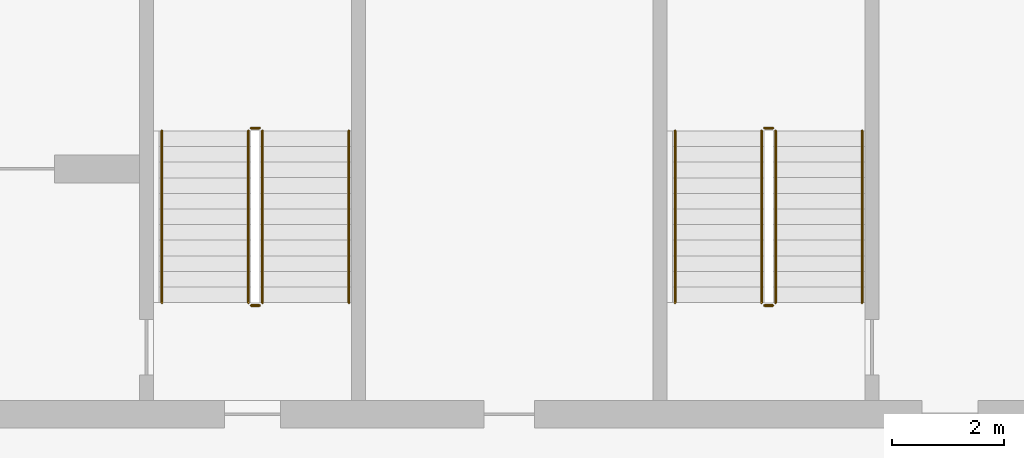
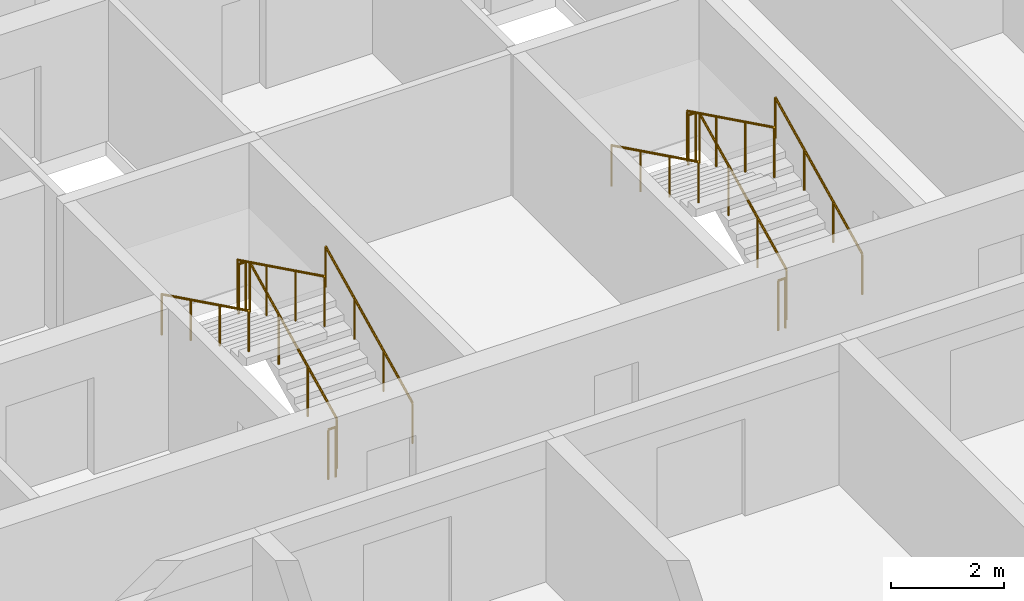
# One storey, part 17 of 18: 12 railings.
"""IFC4 building model written with IfcOpenShell, lengths in metres."""

from ifc_helpers import new_model, si_unit, direction, frame, origin, origin_2d, place, context, subcontext, project, spatial, circle, extrude, material, type_object, element, save


model = new_model("IFC4")

# Units and contexts
model_context = context("Model", 3, precision=1e-05, world=origin(), true_north=direction((0.0, 1.0)))
body_context = subcontext(model_context, "Body", "Model", "MODEL_VIEW")
ifc_project = project(units=[si_unit("LENGTHUNIT", "METRE"), si_unit("AREAUNIT", "SQUARE_METRE"), si_unit("VOLUMEUNIT", "CUBIC_METRE"), si_unit("PLANEANGLEUNIT", "RADIAN"), si_unit("MASSUNIT", "GRAM", prefix="KILO")], contexts=[model_context])

# Site, building, storey
site_placement = place(None, origin())
site = spatial("IfcSite", under=ifc_project, at=site_placement, CompositionType="ELEMENT")
building_placement = place(site_placement, origin())
building = spatial("IfcBuilding", under=site, at=building_placement, Name="Poui Terraces", CompositionType="ELEMENT")
storey_placement = place(building_placement, frame((0.0, 0.0, 105.89990234375)))
storey = spatial("IfcBuildingStorey", under=building, at=storey_placement, Name="L29", CompositionType="ELEMENT", Elevation=105.89990234375)

# Railings
ifc_material_1 = material(Name="Galvanised steel balustrade", Category="steel")
railing_type_1 = type_object("IfcRailingType", Name="STAIR GUARD 1100", PredefinedType="GUARDRAIL", material=ifc_material_1)
railing_1_placement = place(storey_placement, frame((70.27490234375, 16.60009765625, 0.1376953125)))
element("IfcRailing", 1, at=railing_1_placement, inside=storey, type_object=railing_type_1, Name="L29 ST-CE stair guard 1", PredefinedType="GUARDRAIL", context=body_context, shape_type="SweptSolid", body=[
    extrude(circle(Radius=0.02392578125, at=origin_2d()), frame((0.0, 0.0, 1.076171875), z_axis=(0.0, 0.897606190399, 0.440798283751), x_axis=(-1.0, 0.0, 0.0)), (0.0, 0.0, 1.0), 3.43115234375),
    extrude(circle(Radius=0.02099609375, at=origin_2d()), origin(), (0.0, 0.0, 1.0), 1.052001953125),
    extrude(circle(Radius=0.02099609375, at=origin_2d()), frame((0.0, 1.026611328125, 0.504150390625)), (0.0, 0.0, 1.0), 1.052001953125),
    extrude(circle(Radius=0.02099609375, at=origin_2d()), frame((0.0, 2.05322265625, 1.00830078125)), (0.0, 0.0, 1.0), 1.052001953125),
    extrude(circle(Radius=0.02099609375, at=origin_2d()), frame((0.0, 3.079833984375, 1.512451171875)), (0.0, 0.0, 1.0), 1.052001953125),
])
railing_2_placement = place(storey_placement, frame((70.22509765625, 19.72998046875, 1.650146484375)))
element("IfcRailing", 2, at=railing_2_placement, inside=storey, type_object=railing_type_1, Name="L29 ST-CE stair guard 2", PredefinedType="GUARDRAIL", context=body_context, shape_type="SweptSolid", body=[
    extrude(circle(Radius=0.02392578125, at=origin_2d()), frame((0.0, 0.0, 1.076171875), z_axis=(-1.0, 0.0, 0.0), x_axis=(0.0, -1.0, 0.0)), (0.0, 0.0, 1.0), 0.150146484375),
    extrude(circle(Radius=0.02099609375, at=origin_2d()), origin(), (0.0, 0.0, 1.0), 1.052001953125),
    extrude(circle(Radius=0.02099609375, at=origin_2d()), frame((-0.150146484375, 0.0, 0.0)), (0.0, 0.0, 1.0), 1.052001953125),
])
railing_3_placement = place(storey_placement, frame((70.02490234375, 19.679931640625, 1.78759765625)))
element("IfcRailing", 3, at=railing_3_placement, inside=storey, type_object=railing_type_1, Name="L29 ST-CE stair guard 3", PredefinedType="GUARDRAIL", context=body_context, shape_type="SweptSolid", body=[
    extrude(circle(Radius=0.02392578125, at=origin_2d()), frame((0.0, 0.0, 1.076171875), z_axis=(0.0, -0.897606190399, 0.440798283751), x_axis=(1.0, 0.0, 0.0)), (0.0, 0.0, 1.0), 3.43115234375),
    extrude(circle(Radius=0.02099609375, at=origin_2d()), origin(), (0.0, 0.0, 1.0), 1.052001953125),
    extrude(circle(Radius=0.02099609375, at=origin_2d()), frame((0.0, -1.026611328125, 0.504150390625)), (0.0, 0.0, 1.0), 1.052001953125),
    extrude(circle(Radius=0.02099609375, at=origin_2d()), frame((0.0, -2.05322265625, 1.00830078125)), (0.0, 0.0, 1.0), 1.052001953125),
    extrude(circle(Radius=0.02099609375, at=origin_2d()), frame((0.0, -3.079833984375, 1.512451171875)), (0.0, 0.0, 1.0), 1.052001953125),
])
railing_4_placement = place(storey_placement, frame((70.22509765625, 16.550048828125, 0.0)))
element("IfcRailing", 4, at=railing_4_placement, inside=storey, type_object=railing_type_1, Name="L29 ST-CE stair guard 4", PredefinedType="GUARDRAIL", context=body_context, shape_type="SweptSolid", body=[
    extrude(circle(Radius=0.02392578125, at=origin_2d()), frame((0.0, 0.0, 1.076171875), z_axis=(-1.0, 0.0, 0.0), x_axis=(0.0, -1.0, 0.0)), (0.0, 0.0, 1.0), 0.150146484375),
    extrude(circle(Radius=0.02099609375, at=origin_2d()), origin(), (0.0, 0.0, 1.0), 1.052001953125),
    extrude(circle(Radius=0.02099609375, at=origin_2d()), frame((-0.150146484375, 0.0, 0.0)), (0.0, 0.0, 1.0), 1.052001953125),
])
railing_5_placement = place(storey_placement, frame((79.47509765625, 16.60009765625, 0.1376953125)))
element("IfcRailing", 5, at=railing_5_placement, inside=storey, type_object=railing_type_1, Name="L29 ST-E stair guard 1", PredefinedType="GUARDRAIL", context=body_context, shape_type="SweptSolid", body=[
    extrude(circle(Radius=0.02392578125, at=origin_2d()), frame((0.0, 0.0, 1.076171875), z_axis=(0.0, 0.897606190399, 0.440798283751), x_axis=(-1.0, 0.0, 0.0)), (0.0, 0.0, 1.0), 3.43115234375),
    extrude(circle(Radius=0.02099609375, at=origin_2d()), origin(), (0.0, 0.0, 1.0), 1.052001953125),
    extrude(circle(Radius=0.02099609375, at=origin_2d()), frame((0.0, 1.026611328125, 0.504150390625)), (0.0, 0.0, 1.0), 1.052001953125),
    extrude(circle(Radius=0.02099609375, at=origin_2d()), frame((0.0, 2.05322265625, 1.00830078125)), (0.0, 0.0, 1.0), 1.052001953125),
    extrude(circle(Radius=0.02099609375, at=origin_2d()), frame((0.0, 3.079833984375, 1.512451171875)), (0.0, 0.0, 1.0), 1.052001953125),
])
railing_6_placement = place(storey_placement, frame((79.425048828125, 19.72998046875, 1.650146484375)))
element("IfcRailing", 6, at=railing_6_placement, inside=storey, type_object=railing_type_1, Name="L29 ST-E stair guard 2", PredefinedType="GUARDRAIL", context=body_context, shape_type="SweptSolid", body=[
    extrude(circle(Radius=0.02392578125, at=origin_2d()), frame((0.0, 0.0, 1.076171875), z_axis=(-1.0, 0.0, 0.0), x_axis=(0.0, -1.0, 0.0)), (0.0, 0.0, 1.0), 0.150146484375),
    extrude(circle(Radius=0.02099609375, at=origin_2d()), origin(), (0.0, 0.0, 1.0), 1.052001953125),
    extrude(circle(Radius=0.02099609375, at=origin_2d()), frame((-0.150146484375, 0.0, 0.0)), (0.0, 0.0, 1.0), 1.052001953125),
])
railing_7_placement = place(storey_placement, frame((79.22509765625, 19.679931640625, 1.78759765625)))
element("IfcRailing", 7, at=railing_7_placement, inside=storey, type_object=railing_type_1, Name="L29 ST-E stair guard 3", PredefinedType="GUARDRAIL", context=body_context, shape_type="SweptSolid", body=[
    extrude(circle(Radius=0.02392578125, at=origin_2d()), frame((0.0, 0.0, 1.076171875), z_axis=(0.0, -0.897606190399, 0.440798283751), x_axis=(1.0, 0.0, 0.0)), (0.0, 0.0, 1.0), 3.43115234375),
    extrude(circle(Radius=0.02099609375, at=origin_2d()), origin(), (0.0, 0.0, 1.0), 1.052001953125),
    extrude(circle(Radius=0.02099609375, at=origin_2d()), frame((0.0, -1.026611328125, 0.504150390625)), (0.0, 0.0, 1.0), 1.052001953125),
    extrude(circle(Radius=0.02099609375, at=origin_2d()), frame((0.0, -2.05322265625, 1.00830078125)), (0.0, 0.0, 1.0), 1.052001953125),
    extrude(circle(Radius=0.02099609375, at=origin_2d()), frame((0.0, -3.079833984375, 1.512451171875)), (0.0, 0.0, 1.0), 1.052001953125),
])
railing_8_placement = place(storey_placement, frame((79.425048828125, 16.550048828125, 0.0)))
element("IfcRailing", 8, at=railing_8_placement, inside=storey, type_object=railing_type_1, Name="L29 ST-E stair guard 4", PredefinedType="GUARDRAIL", context=body_context, shape_type="SweptSolid", body=[
    extrude(circle(Radius=0.02392578125, at=origin_2d()), frame((0.0, 0.0, 1.076171875), z_axis=(-1.0, 0.0, 0.0), x_axis=(0.0, -1.0, 0.0)), (0.0, 0.0, 1.0), 0.150146484375),
    extrude(circle(Radius=0.02099609375, at=origin_2d()), origin(), (0.0, 0.0, 1.0), 1.052001953125),
    extrude(circle(Radius=0.02099609375, at=origin_2d()), frame((-0.150146484375, 0.0, 0.0)), (0.0, 0.0, 1.0), 1.052001953125),
])
ifc_material_2 = material(Name="Stainless steel handrail", Category="steel")
railing_type_2 = type_object("IfcRailingType", Name="STAIR HANDRAIL 900", PredefinedType="HANDRAIL", material=ifc_material_2)
railing_9_placement = place(storey_placement, frame((71.824951171875, 16.60009765625, 0.1376953125)))
element("IfcRailing", 9, at=railing_9_placement, inside=storey, type_object=railing_type_2, Name="L29 ST-CE stair handrail 1", PredefinedType="HANDRAIL", context=body_context, shape_type="SweptSolid", body=[
    extrude(circle(Radius=0.02392578125, at=origin_2d()), frame((0.0, 0.0, 0.8759765625), z_axis=(0.0, 0.897606190399, 0.440798283751), x_axis=(-1.0, 0.0, 0.0)), (0.0, 0.0, 1.0), 3.43115234375),
    extrude(circle(Radius=0.02099609375, at=origin_2d()), origin(), (0.0, 0.0, 1.0), 0.851806640625),
    extrude(circle(Radius=0.02099609375, at=origin_2d()), frame((0.0, 1.026611328125, 0.504150390625)), (0.0, 0.0, 1.0), 0.851806640625),
    extrude(circle(Radius=0.02099609375, at=origin_2d()), frame((0.0, 2.05322265625, 1.00830078125)), (0.0, 0.0, 1.0), 0.851806640625),
    extrude(circle(Radius=0.02099609375, at=origin_2d()), frame((0.0, 3.079833984375, 1.512451171875)), (0.0, 0.0, 1.0), 0.851806640625),
])
railing_10_placement = place(storey_placement, frame((68.47509765625, 19.679931640625, 1.78759765625)))
element("IfcRailing", 10, at=railing_10_placement, inside=storey, type_object=railing_type_2, Name="L29 ST-CE stair handrail 2", PredefinedType="HANDRAIL", context=body_context, shape_type="SweptSolid", body=[
    extrude(circle(Radius=0.02392578125, at=origin_2d()), frame((0.0, 0.0, 0.8759765625), z_axis=(0.0, -0.897606190399, 0.440798283751), x_axis=(1.0, 0.0, 0.0)), (0.0, 0.0, 1.0), 3.43115234375),
    extrude(circle(Radius=0.02099609375, at=origin_2d()), origin(), (0.0, 0.0, 1.0), 0.851806640625),
    extrude(circle(Radius=0.02099609375, at=origin_2d()), frame((0.0, -1.026611328125, 0.504150390625)), (0.0, 0.0, 1.0), 0.851806640625),
    extrude(circle(Radius=0.02099609375, at=origin_2d()), frame((0.0, -2.05322265625, 1.00830078125)), (0.0, 0.0, 1.0), 0.851806640625),
    extrude(circle(Radius=0.02099609375, at=origin_2d()), frame((0.0, -3.079833984375, 1.512451171875)), (0.0, 0.0, 1.0), 0.851806640625),
])
railing_11_placement = place(storey_placement, frame((81.02490234375, 16.60009765625, 0.1376953125)))
element("IfcRailing", 11, at=railing_11_placement, inside=storey, type_object=railing_type_2, Name="L29 ST-E stair handrail 1", PredefinedType="HANDRAIL", context=body_context, shape_type="SweptSolid", body=[
    extrude(circle(Radius=0.02392578125, at=origin_2d()), frame((0.0, 0.0, 0.8759765625), z_axis=(0.0, 0.897606190399, 0.440798283751), x_axis=(-1.0, 0.0, 0.0)), (0.0, 0.0, 1.0), 3.43115234375),
    extrude(circle(Radius=0.02099609375, at=origin_2d()), origin(), (0.0, 0.0, 1.0), 0.851806640625),
    extrude(circle(Radius=0.02099609375, at=origin_2d()), frame((0.0, 1.026611328125, 0.504150390625)), (0.0, 0.0, 1.0), 0.851806640625),
    extrude(circle(Radius=0.02099609375, at=origin_2d()), frame((0.0, 2.05322265625, 1.00830078125)), (0.0, 0.0, 1.0), 0.851806640625),
    extrude(circle(Radius=0.02099609375, at=origin_2d()), frame((0.0, 3.079833984375, 1.512451171875)), (0.0, 0.0, 1.0), 0.851806640625),
])
railing_12_placement = place(storey_placement, frame((77.675048828125, 19.679931640625, 1.78759765625)))
element("IfcRailing", 12, at=railing_12_placement, inside=storey, type_object=railing_type_2, Name="L29 ST-E stair handrail 2", PredefinedType="HANDRAIL", context=body_context, shape_type="SweptSolid", body=[
    extrude(circle(Radius=0.02392578125, at=origin_2d()), frame((0.0, 0.0, 0.8759765625), z_axis=(0.0, -0.897606190399, 0.440798283751), x_axis=(1.0, 0.0, 0.0)), (0.0, 0.0, 1.0), 3.43115234375),
    extrude(circle(Radius=0.02099609375, at=origin_2d()), origin(), (0.0, 0.0, 1.0), 0.851806640625),
    extrude(circle(Radius=0.02099609375, at=origin_2d()), frame((0.0, -1.026611328125, 0.504150390625)), (0.0, 0.0, 1.0), 0.851806640625),
    extrude(circle(Radius=0.02099609375, at=origin_2d()), frame((0.0, -2.05322265625, 1.00830078125)), (0.0, 0.0, 1.0), 0.851806640625),
    extrude(circle(Radius=0.02099609375, at=origin_2d()), frame((0.0, -3.079833984375, 1.512451171875)), (0.0, 0.0, 1.0), 0.851806640625),
])

save(model, "model.ifc")
